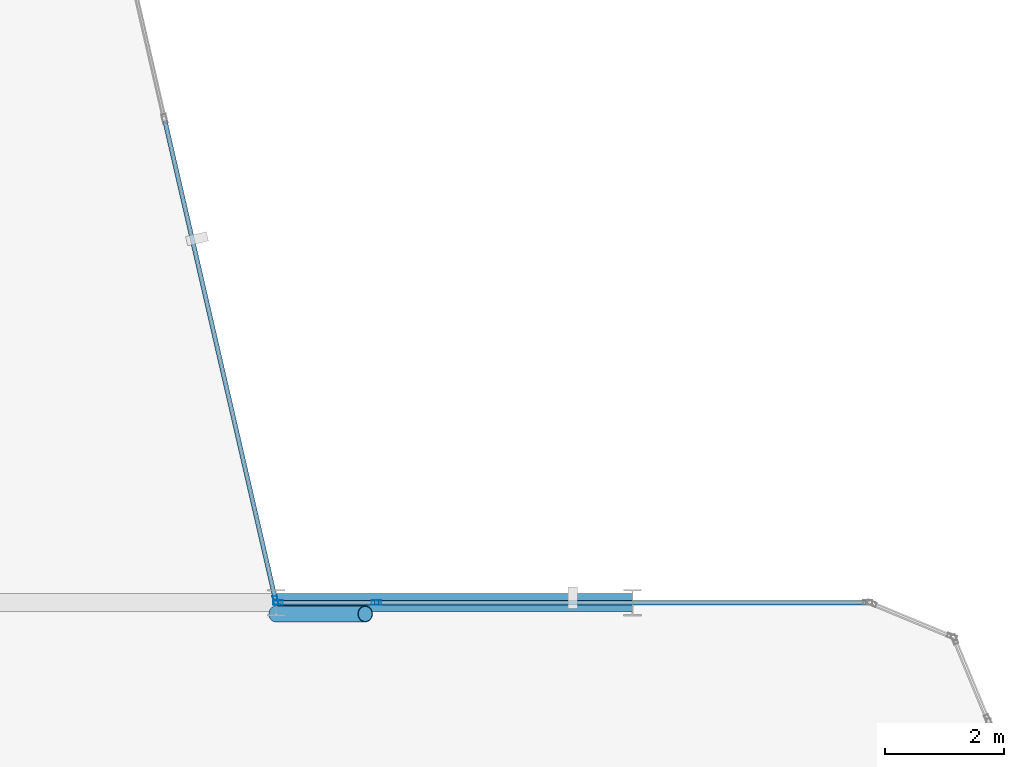
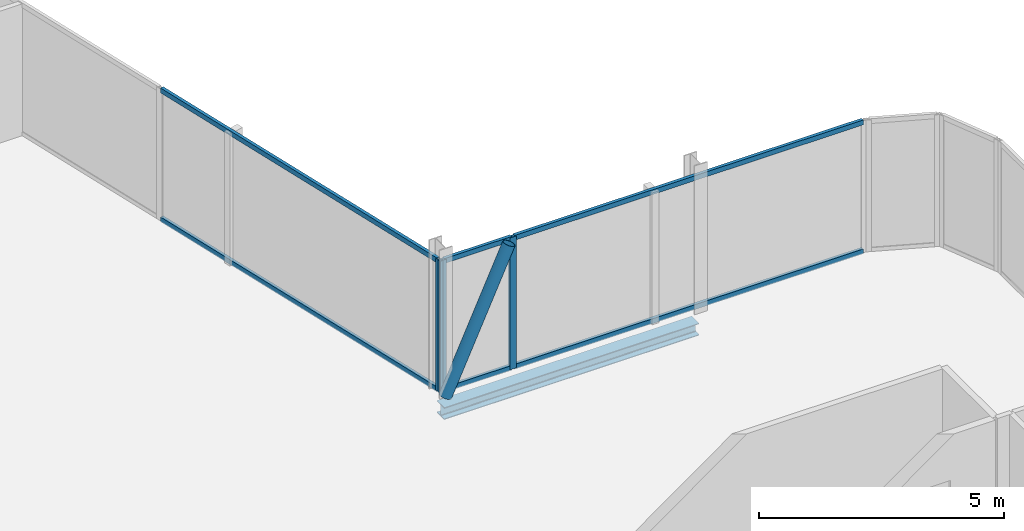
# One storey, part 14 of 28: 10 members, 1 beam, 3 elements without a shape of their own.
"""IFC4 building model written with IfcOpenShell, lengths in metres."""

from ifc_helpers import new_model, si_unit, direction, frame, origin, origin_2d, place, context, subcontext, project, spatial, hollow_rectangle, hollow_circle, i_section, extrude, material, layer, layer_set, material_profile, profile_set, type_object, element, aggregate, save


model = new_model("IFC4")

# Units and contexts
model_context = context("Model", 3, precision=1e-05, world=origin(), true_north=direction((0.0, 1.0)))
body_context = subcontext(model_context, "Body", "Model", "MODEL_VIEW")
ifc_project = project(units=[si_unit("LENGTHUNIT", "METRE"), si_unit("AREAUNIT", "SQUARE_METRE"), si_unit("VOLUMEUNIT", "CUBIC_METRE"), si_unit("PLANEANGLEUNIT", "RADIAN"), si_unit("MASSUNIT", "GRAM", prefix="KILO")], contexts=[model_context])

# Site, building, storey
site_placement = place(None, origin())
site = spatial("IfcSite", under=ifc_project, at=site_placement, CompositionType="ELEMENT")
building_placement = place(site_placement, origin())
building = spatial("IfcBuilding", under=site, at=building_placement, Name="Keshet Zoharim Tower", CompositionType="ELEMENT")
storey_placement = place(building_placement, frame((0.0, 0.0, 233.89990234375)))
storey = spatial("IfcBuildingStorey", under=building, at=storey_placement, Name="L58", CompositionType="ELEMENT", Elevation=233.89990234375)

# Beam
ifc_material_1 = material(Name="Steel S355", Category="steel")
ifc_material_profile_1 = material_profile(ifc_material_1, i_section(OverallWidth=0.300048828125, OverallDepth=0.300048828125, WebThickness=0.010986328125, FlangeThickness=0.01904296875, FilletRadius=0.027099609375, at=origin_2d()), Name="HEB300")
ifc_profile_set_1 = profile_set([ifc_material_profile_1], Name="Steel S355")
beam_type = type_object("IfcBeamType", Name="BM-PRI-HB300", PredefinedType="BEAM", material=ifc_profile_set_1)
beam_placement = place(storey_placement, frame((45.0, 27.89990234375, -0.4599609375), z_axis=(1.0, 0.0, 0.0), x_axis=(0.0, 1.0, 0.0)))
element("IfcBeam", 1, at=beam_placement, inside=storey, type_object=beam_type, Name="L58 Primary Girder X-016", PredefinedType="BEAM", context=body_context, shape_type="SweptSolid", body=[
    extrude(i_section(OverallWidth=0.300048828125, OverallDepth=0.300048828125, WebThickness=0.010986328125, FlangeThickness=0.01904296875, FilletRadius=0.027099609375, at=origin_2d()), origin(), (0.0, 0.0, 1.0), 6.0),
])

# Curtain wall, member
ifc_material_2 = material(Name="Aluminium 6063-T6", Category="aluminium")
ifc_layer = layer(ifc_material_2, 0.139892578125)
ifc_layer_set = layer_set([ifc_layer], Name="Aluminium 6063-T6")
curtain_wall_type = type_object("IfcCurtainWallType", Name="CW-SYS-05", PredefinedType="NOTDEFINED", material=ifc_layer_set)
curtain_wall_1_placement = place(storey_placement, origin())
curtain_wall_1 = element("IfcCurtainWall", 2, at=curtain_wall_1_placement, inside=storey, type_object=curtain_wall_type, Name="L58 Unitised Curtain Wall 19", PredefinedType="NOTDEFINED")
ifc_material_profile_2 = material_profile(ifc_material_2, hollow_rectangle(XDim=0.074951171875, YDim=0.159912109375, WallThickness=0.00390625, at=origin_2d()), Name="MUL-75x160")
ifc_profile_set_2 = profile_set([ifc_material_profile_2], Name="Aluminium 6063-T6")
member_type_1 = type_object("IfcMemberType", Name="CWM-M15", PredefinedType="MULLION", material=ifc_profile_set_2)
member_1_placement = place(storey_placement, frame((44.9921875, 27.93408203125, 0.0), z_axis=(0.0, 0.0, 1.0), x_axis=(0.974393882313, 0.224847864369, 0.0)))
member_1 = element("IfcMember", 3, at=member_1_placement, type_object=member_type_1, Name="CW-05 mullion 4", PredefinedType="MULLION", context=body_context, shape_type="SweptSolid", body=[
    extrude(hollow_rectangle(XDim=0.074951171875, YDim=0.159912109375, WallThickness=0.00390625, at=origin_2d()), origin(), (0.0, 0.0, 1.0), 3.280029296875),
])

# Curtain wall, members
curtain_wall_2_placement = place(storey_placement, origin())
curtain_wall_2 = element("IfcCurtainWall", 4, at=curtain_wall_2_placement, inside=storey, type_object=curtain_wall_type, Name="L58 Unitised Curtain Wall 20", PredefinedType="NOTDEFINED")
member_2_placement = place(storey_placement, frame((45.034912109375, 27.89990234375, 0.0), z_axis=(0.0, 0.0, 1.0), x_axis=(0.0, 1.0, 0.0)))
member_2 = element("IfcMember", 5, at=member_2_placement, type_object=member_type_1, Name="CW-05 mullion 1", PredefinedType="MULLION", context=body_context, shape_type="SweptSolid", body=[
    extrude(hollow_rectangle(XDim=0.074951171875, YDim=0.159912109375, WallThickness=0.00390625, at=origin_2d()), origin(), (0.0, 0.0, 1.0), 3.280029296875),
])
member_3_placement = place(storey_placement, frame((46.689208984375, 27.89990234375, 0.0), z_axis=(0.0, 0.0, 1.0), x_axis=(0.0, 1.0, 0.0)))
member_3 = element("IfcMember", 6, at=member_3_placement, type_object=member_type_1, Name="CW-05 mullion 2", PredefinedType="MULLION", context=body_context, shape_type="SweptSolid", body=[
    extrude(hollow_rectangle(XDim=0.074951171875, YDim=0.159912109375, WallThickness=0.00390625, at=origin_2d()), origin(), (0.0, 0.0, 1.0), 3.280029296875),
])

# Member
ifc_material_profile_3 = material_profile(ifc_material_2, hollow_rectangle(XDim=0.074951171875, YDim=0.1201171875, WallThickness=0.00390625, at=origin_2d()), Name="TRN-75x120")
ifc_profile_set_3 = profile_set([ifc_material_profile_3], Name="Aluminium 6063-T6")
member_type_2 = type_object("IfcMemberType", Name="CWT-T12", PredefinedType="USERDEFINED", material=ifc_profile_set_3)
member_4_placement = place(storey_placement, frame((43.127197265625, 36.015869140625, 0.03515625), z_axis=(0.224863824467, -0.974390199277, 0.0), x_axis=(0.974390199277, 0.224863824467, 0.0)))
member_4 = element("IfcMember", 7, at=member_4_placement, type_object=member_type_2, Name="CW-05 transom 3.1", ObjectType="TRANSOM", PredefinedType="USERDEFINED", context=body_context, shape_type="SweptSolid", body=[
    extrude(hollow_rectangle(XDim=0.074951171875, YDim=0.1201171875, WallThickness=0.00390625, at=origin_2d()), origin(), (0.0, 0.0, 1.0), 8.259033203125),
])

member_5_placement = place(storey_placement, frame((43.127197265625, 36.015869140625, 3.2451171875), z_axis=(0.224863824467, -0.974390199277, 0.0), x_axis=(0.974390199277, 0.224863824467, 0.0)))
member_5 = element("IfcMember", 8, at=member_5_placement, type_object=member_type_2, Name="CW-05 transom 3.2", ObjectType="TRANSOM", PredefinedType="USERDEFINED", context=body_context, shape_type="SweptSolid", body=[
    extrude(hollow_rectangle(XDim=0.074951171875, YDim=0.1201171875, WallThickness=0.00390625, at=origin_2d()), origin(), (0.0, 0.0, 1.0), 8.259033203125),
])

aggregate(curtain_wall_1, [member_1, member_4, member_5])

member_6_placement = place(storey_placement, frame((45.070068359375, 27.89990234375, 0.03515625), z_axis=(1.0, 0.0, 0.0), x_axis=(0.0, 1.0, 0.0)))
member_6 = element("IfcMember", 9, at=member_6_placement, type_object=member_type_2, Name="CW-05 transom 1.1", ObjectType="TRANSOM", PredefinedType="USERDEFINED", context=body_context, shape_type="SweptSolid", body=[
    extrude(hollow_rectangle(XDim=0.074951171875, YDim=0.1201171875, WallThickness=0.00390625, at=origin_2d()), origin(), (0.0, 0.0, 1.0), 1.583984375),
])

member_7_placement = place(storey_placement, frame((45.070068359375, 27.89990234375, 3.2451171875), z_axis=(1.0, 0.0, 0.0), x_axis=(0.0, 1.0, 0.0)))
member_7 = element("IfcMember", 10, at=member_7_placement, type_object=member_type_2, Name="CW-05 transom 1.2", ObjectType="TRANSOM", PredefinedType="USERDEFINED", context=body_context, shape_type="SweptSolid", body=[
    extrude(hollow_rectangle(XDim=0.074951171875, YDim=0.1201171875, WallThickness=0.00390625, at=origin_2d()), origin(), (0.0, 0.0, 1.0), 1.583984375),
])

aggregate(curtain_wall_2, [member_2, member_3, member_6, member_7])

# Curtain wall, members
curtain_wall_3_placement = place(storey_placement, origin())
curtain_wall_3 = element("IfcCurtainWall", 11, at=curtain_wall_3_placement, inside=storey, type_object=curtain_wall_type, Name="L58 Unitised Curtain Wall 20 Part 2", PredefinedType="NOTDEFINED")
member_8_placement = place(storey_placement, frame((46.72412109375, 27.89990234375, 0.03515625), z_axis=(1.0, 0.0, 0.0), x_axis=(0.0, 1.0, 0.0)))
member_8 = element("IfcMember", 12, at=member_8_placement, type_object=member_type_2, Name="CW-05 transom 1.1", ObjectType="TRANSOM", PredefinedType="USERDEFINED", context=body_context, shape_type="SweptSolid", body=[
    extrude(hollow_rectangle(XDim=0.074951171875, YDim=0.1201171875, WallThickness=0.00390625, at=origin_2d()), origin(), (0.0, 0.0, 1.0), 8.205810546875),
])
member_9_placement = place(storey_placement, frame((46.72412109375, 27.89990234375, 3.2451171875), z_axis=(1.0, 0.0, 0.0), x_axis=(0.0, 1.0, 0.0)))
member_9 = element("IfcMember", 13, at=member_9_placement, type_object=member_type_2, Name="CW-05 transom 1.2", ObjectType="TRANSOM", PredefinedType="USERDEFINED", context=body_context, shape_type="SweptSolid", body=[
    extrude(hollow_rectangle(XDim=0.074951171875, YDim=0.1201171875, WallThickness=0.00390625, at=origin_2d()), origin(), (0.0, 0.0, 1.0), 8.205810546875),
])
aggregate(curtain_wall_3, [member_8, member_9])

# Member
ifc_material_profile_4 = material_profile(ifc_material_1, hollow_circle(Radius=0.136474609375, WallThickness=0.010009765625, at=origin_2d()), Name="CHS273x10")
ifc_profile_set_4 = profile_set([ifc_material_profile_4], Name="Steel S355")
member_type_3 = type_object("IfcMemberType", Name="MB-BR-C273", PredefinedType="BRACE", material=ifc_profile_set_4)
member_10_placement = place(storey_placement, frame((45.0, 27.7099609375, 0.0), z_axis=(0.415887731958, 0.0, 0.909415963356), x_axis=(0.0, 1.0, 0.0)))
element("IfcMember", 14, at=member_10_placement, inside=storey, type_object=member_type_3, Name="L58 Perimeter Tube Brace 04", PredefinedType="BRACE", context=body_context, shape_type="SweptSolid", body=[
    extrude(hollow_circle(Radius=0.136474609375, WallThickness=0.010009765625, at=origin_2d()), origin(), (0.0, 0.0, 1.0), 3.606689453125),
])

save(model, "model.ifc")
